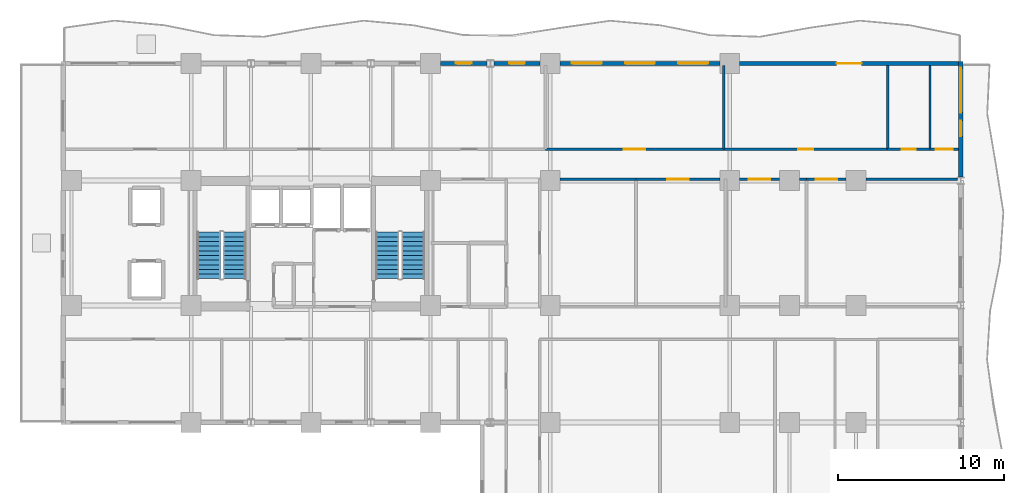
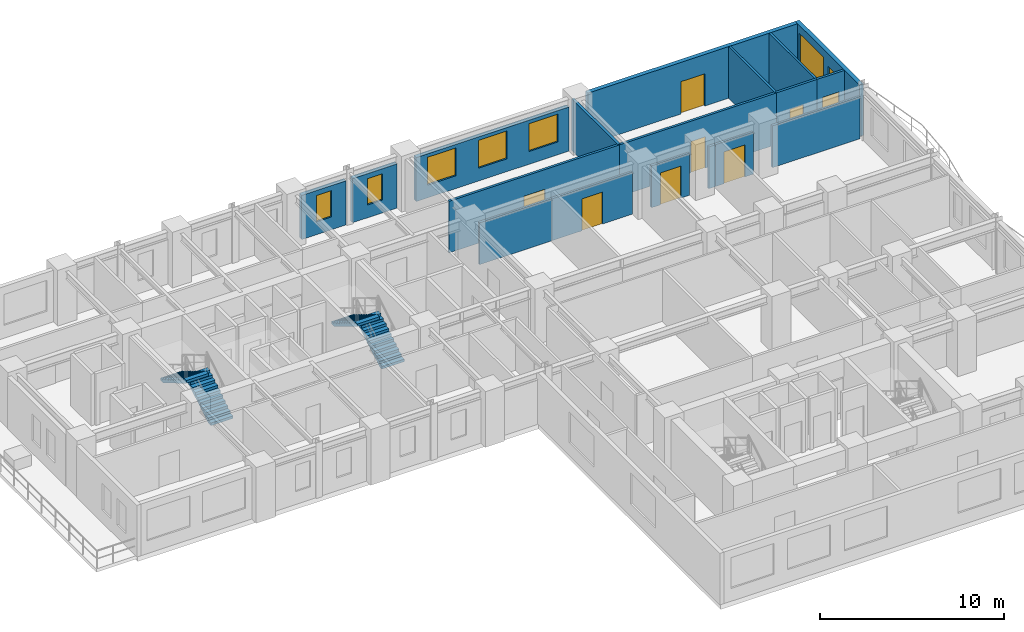
# One storey, part 7 of 11: 18 walls, 8 doors, 7 windows, 4 stair flights, 15 openings, 2 elements without a shape of their own.
"""IFC4 building model written with IfcOpenShell, lengths in metres."""

from ifc_helpers import new_model, si_unit, direction, frame, frame_2d, origin, place, context, subcontext, project, spatial, polyline, rectangle, outline, extrude, material, layer, layer_set, type_object, element, fill, aggregate, save


model = new_model("IFC4")

# Units and contexts
model_context = context("Model", 3, precision=1e-05, world=origin(), true_north=direction((0.0, 1.0)))
body_context = subcontext(model_context, "Body", "Model", "MODEL_VIEW")
ifc_project = project(units=[si_unit("LENGTHUNIT", "METRE"), si_unit("AREAUNIT", "SQUARE_METRE"), si_unit("VOLUMEUNIT", "CUBIC_METRE"), si_unit("PLANEANGLEUNIT", "RADIAN"), si_unit("MASSUNIT", "GRAM", prefix="KILO")], contexts=[model_context])

# Site, building, storey
site_placement = place(None, origin())
site = spatial("IfcSite", under=ifc_project, at=site_placement, CompositionType="ELEMENT")
building_placement = place(site_placement, origin())
building = spatial("IfcBuilding", under=site, at=building_placement, Name="Kaliganga Portal Commons", CompositionType="ELEMENT")
storey_placement = place(building_placement, frame((0.0, 0.0, 78.60009765625)))
storey = spatial("IfcBuildingStorey", under=building, at=storey_placement, Name="L19", CompositionType="ELEMENT", Elevation=78.60009765625)

# Wall, openings, windows
ifc_material_1 = material(Name="Insulated Aluminium-Clad Spandrel Assembly", Category="aluminium")
ifc_layer_1 = layer(ifc_material_1, 0.260009765625)
ifc_layer_set_1 = layer_set([ifc_layer_1], Name="Insulated Aluminium-Clad Spandrel Assembly")
wall_type_1 = type_object("IfcWallType", Name="WL-EXT-SPAND-260", PredefinedType="STANDARD", material=ifc_layer_set_1)
wall_1_placement = place(storey_placement, frame((60.699951171875, 43.330078125, 0.0), z_axis=(0.0, 0.0, 1.0), x_axis=(0.0, -1.0, 0.0)))
wall_1 = element("IfcWall", 1, at=wall_1_placement, inside=storey, type_object=wall_type_1, Name="Exterior Envelope Wall L19 P1-E01-S6", PredefinedType="STANDARD", context=body_context, shape_type="SweptSolid", body=[
    extrude(rectangle(XDim=6.964111328125, YDim=0.260009765625, at=frame_2d((3.48193359375, 0.0))), origin(), (0.0, 0.0, 1.0), 3.429931640625),
])
opening_1_placement = place(wall_1_placement, frame((0.39111328125, 0.0, 0.85009765625)))
opening_1 = element("IfcOpeningElement", 2, at=opening_1_placement, cuts=wall_1, Name="Opening W-07", PredefinedType="OPENING", context=body_context, shape_type="SweptSolid", body=[
    extrude(rectangle(XDim=2.699951171875, YDim=2.050048828125, at=frame_2d((1.35009765625, 1.02490234375))), frame((0.0, 0.14013671875, 0.0), z_axis=(0.0, -1.0, 0.0), x_axis=(1.0, 0.0, 0.0)), (0.0, 0.0, 1.0), 0.280029296875),
])
opening_2_placement = place(wall_1_placement, frame((3.564208984375, 0.0, 0.85009765625)))
opening_2 = element("IfcOpeningElement", 3, at=opening_2_placement, cuts=wall_1, Name="Opening W-04", PredefinedType="OPENING", context=body_context, shape_type="SweptSolid", body=[
    extrude(rectangle(XDim=0.949951171875, YDim=1.75, at=frame_2d((0.47509765625, 0.875))), frame((0.0, 0.14013671875, 0.0), z_axis=(0.0, -1.0, 0.0), x_axis=(1.0, 0.0, 0.0)), (0.0, 0.0, 1.0), 0.280029296875),
])
ifc_material_2 = material(Name="Thermally Broken Aluminium and Low-E Double Glazing", Category="aluminium")
window_type_1 = type_object("IfcWindowType", Name="WIN-LOUNGE-2700", PartitioningType="TRIPLE_PANEL_VERTICAL", PredefinedType="WINDOW", material=ifc_material_2)
window_1_placement = place(opening_1_placement, origin())
window_1 = element("IfcWindow", 4, at=window_1_placement, inside=storey, type_object=window_type_1, Name="Facade Window L19-P1E01S6-00", OverallHeight=2.050048828125, OverallWidth=2.699951171875, PartitioningType="SINGLE_PANEL", PredefinedType="WINDOW", context=body_context, shape_type="SweptSolid", body=[
    extrude(rectangle(XDim=2.699951171875, YDim=2.050048828125, at=frame_2d((1.35009765625, 1.02490234375))), frame((0.0, 0.030029296875, 0.0), z_axis=(0.0, -1.0, 0.0), x_axis=(1.0, 0.0, 0.0)), (0.0, 0.0, 1.0), 0.06005859375),
])
fill(opening_1, window_1)
window_type_2 = type_object("IfcWindowType", Name="WIN-NARROW-950", PartitioningType="SINGLE_PANEL", PredefinedType="WINDOW", material=ifc_material_2)
window_2_placement = place(opening_2_placement, origin())
window_2 = element("IfcWindow", 5, at=window_2_placement, inside=storey, type_object=window_type_2, Name="Facade Window L19-P1E01S6-N6", OverallHeight=1.75, OverallWidth=0.949951171875, PartitioningType="SINGLE_PANEL", PredefinedType="WINDOW", context=body_context, shape_type="SweptSolid", body=[
    extrude(rectangle(XDim=0.949951171875, YDim=1.75, at=frame_2d((0.47509765625, 0.875))), frame((0.0, 0.030029296875, 0.0), z_axis=(0.0, -1.0, 0.0), x_axis=(1.0, 0.0, 0.0)), (0.0, 0.0, 1.0), 0.06005859375),
])
fill(opening_2, window_2)

# Wall, opening, door
wall_2_placement = place(storey_placement, frame((47.40087890625, 43.199951171875, 0.0), z_axis=(0.0, 0.0, 1.0), x_axis=(1.0, 0.0, 0.0)))
wall_2 = element("IfcWall", 6, at=wall_2_placement, inside=storey, type_object=wall_type_1, Name="Exterior Envelope Wall L19 P1-E02-S1", PredefinedType="STANDARD", context=body_context, shape_type="SweptSolid", body=[
    extrude(rectangle(XDim=13.1640625, YDim=0.260009765625, at=frame_2d((6.58203125, 0.0))), origin(), (0.0, 0.0, 1.0), 3.429931640625),
])
opening_3_placement = place(wall_2_placement, frame((5.83203125, 0.0, 0.0)))
opening_3 = element("IfcOpeningElement", 7, at=opening_3_placement, cuts=wall_2, Name="Opening BD-01", PredefinedType="OPENING", context=body_context, shape_type="SweptSolid", body=[
    extrude(rectangle(XDim=1.5, YDim=2.14990234375, at=frame_2d((0.75, 1.074951171875))), frame((0.0, 0.14013671875, 0.0), z_axis=(0.0, -1.0, 0.0), x_axis=(1.0, 0.0, 0.0)), (0.0, 0.0, 1.0), 0.280029296875),
])
ifc_material_3 = material(Name="Anodized Aluminium and Laminated Safety Glass", Category="aluminium")
door_type_1 = type_object("IfcDoorType", Name="DR-BALC-1500", OperationType="SLIDING_TO_LEFT", PredefinedType="DOOR", material=ifc_material_3)
door_1_placement = place(opening_3_placement, origin())
door_1 = element("IfcDoor", 8, at=door_1_placement, inside=storey, type_object=door_type_1, Name="Balcony Sliding Door L19 balc_north", OperationType="SLIDING_TO_LEFT", OverallHeight=2.14990234375, OverallWidth=1.5, PredefinedType="DOOR", context=body_context, shape_type="SweptSolid", body=[
    extrude(rectangle(XDim=1.5, YDim=2.14990234375, at=frame_2d((0.75, 1.074951171875))), frame((0.0, 0.02490234375, 0.0), z_axis=(0.0, -1.0, 0.0), x_axis=(1.0, 0.0, 0.0)), (0.0, 0.0, 1.0), 0.050048828125),
])
fill(opening_3, door_1)

# Wall, openings, windows
wall_3_placement = place(storey_placement, frame((36.60107421875, 43.199951171875, 0.0), z_axis=(0.0, 0.0, 1.0), x_axis=(1.0, 0.0, 0.0)))
wall_3 = element("IfcWall", 9, at=wall_3_placement, inside=storey, type_object=wall_type_1, Name="Exterior Envelope Wall L19 P1-E02-S2", PredefinedType="STANDARD", context=body_context, shape_type="SweptSolid", body=[
    extrude(rectangle(XDim=9.597900390625, YDim=0.260009765625, at=frame_2d((4.798828125, 0.0))), origin(), (0.0, 0.0, 1.0), 2.929931640625),
])
opening_4_placement = place(wall_3_placement, frame((0.69970703125, 0.0, 0.85009765625)))
opening_4 = element("IfcOpeningElement", 10, at=opening_4_placement, cuts=wall_3, Name="Opening W-01", PredefinedType="OPENING", context=body_context, shape_type="SweptSolid", body=[
    extrude(rectangle(XDim=1.800048828125, YDim=1.85009765625, at=frame_2d((0.89990234375, 0.925048828125))), frame((0.0, 0.14013671875, 0.0), z_axis=(0.0, -1.0, 0.0), x_axis=(1.0, 0.0, 0.0)), (0.0, 0.0, 1.0), 0.280029296875),
])
opening_5_placement = place(wall_3_placement, frame((3.89892578125, 0.0, 0.85009765625)))
opening_5 = element("IfcOpeningElement", 11, at=opening_5_placement, cuts=wall_3, Name="Opening W-01", PredefinedType="OPENING", context=body_context, shape_type="SweptSolid", body=[
    extrude(rectangle(XDim=1.800048828125, YDim=1.85009765625, at=frame_2d((0.89990234375, 0.925048828125))), frame((0.0, 0.14013671875, 0.0), z_axis=(0.0, -1.0, 0.0), x_axis=(1.0, 0.0, 0.0)), (0.0, 0.0, 1.0), 0.280029296875),
])
opening_6_placement = place(wall_3_placement, frame((7.098388671875, 0.0, 0.85009765625)))
opening_6 = element("IfcOpeningElement", 12, at=opening_6_placement, cuts=wall_3, Name="Opening W-01", PredefinedType="OPENING", context=body_context, shape_type="SweptSolid", body=[
    extrude(rectangle(XDim=1.800048828125, YDim=1.85009765625, at=frame_2d((0.89990234375, 0.925048828125))), frame((0.0, 0.14013671875, 0.0), z_axis=(0.0, -1.0, 0.0), x_axis=(1.0, 0.0, 0.0)), (0.0, 0.0, 1.0), 0.280029296875),
])
window_type_3 = type_object("IfcWindowType", Name="WIN-STD-1800", PartitioningType="DOUBLE_PANEL_VERTICAL", PredefinedType="WINDOW", material=ifc_material_2)
window_3_placement = place(opening_4_placement, origin())
window_3 = element("IfcWindow", 13, at=window_3_placement, inside=storey, type_object=window_type_3, Name="Facade Window L19-P1E02S2-00", OverallHeight=1.85009765625, OverallWidth=1.800048828125, PartitioningType="SINGLE_PANEL", PredefinedType="WINDOW", context=body_context, shape_type="SweptSolid", body=[
    extrude(rectangle(XDim=1.800048828125, YDim=1.85009765625, at=frame_2d((0.89990234375, 0.925048828125))), frame((0.0, 0.030029296875, 0.0), z_axis=(0.0, -1.0, 0.0), x_axis=(1.0, 0.0, 0.0)), (0.0, 0.0, 1.0), 0.06005859375),
])
fill(opening_4, window_3)
window_4_placement = place(opening_5_placement, origin())
window_4 = element("IfcWindow", 14, at=window_4_placement, inside=storey, type_object=window_type_3, Name="Facade Window L19-P1E02S2-01", OverallHeight=1.85009765625, OverallWidth=1.800048828125, PartitioningType="SINGLE_PANEL", PredefinedType="WINDOW", context=body_context, shape_type="SweptSolid", body=[
    extrude(rectangle(XDim=1.800048828125, YDim=1.85009765625, at=frame_2d((0.89990234375, 0.925048828125))), frame((0.0, 0.030029296875, 0.0), z_axis=(0.0, -1.0, 0.0), x_axis=(1.0, 0.0, 0.0)), (0.0, 0.0, 1.0), 0.06005859375),
])
fill(opening_5, window_4)
window_5_placement = place(opening_6_placement, origin())
window_5 = element("IfcWindow", 15, at=window_5_placement, inside=storey, type_object=window_type_3, Name="Facade Window L19-P1E02S2-02", OverallHeight=1.85009765625, OverallWidth=1.800048828125, PartitioningType="SINGLE_PANEL", PredefinedType="WINDOW", context=body_context, shape_type="SweptSolid", body=[
    extrude(rectangle(XDim=1.800048828125, YDim=1.85009765625, at=frame_2d((0.89990234375, 0.925048828125))), frame((0.0, 0.030029296875, 0.0), z_axis=(0.0, -1.0, 0.0), x_axis=(1.0, 0.0, 0.0)), (0.0, 0.0, 1.0), 0.06005859375),
])
fill(opening_6, window_5)

# Wall, opening, window
wall_4_placement = place(storey_placement, frame((32.60546875, 43.199951171875, 0.0), z_axis=(0.0, 0.0, 1.0), x_axis=(1.0, 0.0, 0.0)))
wall_4 = element("IfcWall", 16, at=wall_4_placement, inside=storey, type_object=wall_type_1, Name="Exterior Envelope Wall L19 P1-E02-S3", PredefinedType="STANDARD", context=body_context, shape_type="SweptSolid", body=[
    extrude(rectangle(XDim=2.79345703125, YDim=0.260009765625, at=frame_2d((1.396728515625, 0.0))), origin(), (0.0, 0.0, 1.0), 2.929931640625),
])
opening_7_placement = place(wall_4_placement, frame((0.921875, 0.0, 0.85009765625)))
opening_7 = element("IfcOpeningElement", 17, at=opening_7_placement, cuts=wall_4, Name="Opening W-04", PredefinedType="OPENING", context=body_context, shape_type="SweptSolid", body=[
    extrude(rectangle(XDim=0.949951171875, YDim=1.75, at=frame_2d((0.47509765625, 0.875))), frame((0.0, 0.14013671875, 0.0), z_axis=(0.0, -1.0, 0.0), x_axis=(1.0, 0.0, 0.0)), (0.0, 0.0, 1.0), 0.280029296875),
])
window_6_placement = place(opening_7_placement, origin())
window_6 = element("IfcWindow", 18, at=window_6_placement, inside=storey, type_object=window_type_2, Name="Facade Window L19-P1E02S3-00", OverallHeight=1.75, OverallWidth=0.949951171875, PartitioningType="SINGLE_PANEL", PredefinedType="WINDOW", context=body_context, shape_type="SweptSolid", body=[
    extrude(rectangle(XDim=0.949951171875, YDim=1.75, at=frame_2d((0.47509765625, 0.875))), frame((0.0, 0.030029296875, 0.0), z_axis=(0.0, -1.0, 0.0), x_axis=(1.0, 0.0, 0.0)), (0.0, 0.0, 1.0), 0.06005859375),
])
fill(opening_7, window_6)

wall_5_placement = place(storey_placement, frame((29.40087890625, 43.199951171875, 0.0), z_axis=(0.0, 0.0, 1.0), x_axis=(1.0, 0.0, 0.0)))
wall_5 = element("IfcWall", 19, at=wall_5_placement, inside=storey, type_object=wall_type_1, Name="Exterior Envelope Wall L19 P1-E02-S4", PredefinedType="STANDARD", context=body_context, shape_type="SweptSolid", body=[
    extrude(rectangle(XDim=2.793701171875, YDim=0.260009765625, at=frame_2d((1.39697265625, 0.0))), origin(), (0.0, 0.0, 1.0), 2.929931640625),
])
opening_8_placement = place(wall_5_placement, frame((0.921630859375, 0.0, 0.85009765625)))
opening_8 = element("IfcOpeningElement", 20, at=opening_8_placement, cuts=wall_5, Name="Opening W-04", PredefinedType="OPENING", context=body_context, shape_type="SweptSolid", body=[
    extrude(rectangle(XDim=0.949951171875, YDim=1.75, at=frame_2d((0.47509765625, 0.875))), frame((0.0, 0.14013671875, 0.0), z_axis=(0.0, -1.0, 0.0), x_axis=(1.0, 0.0, 0.0)), (0.0, 0.0, 1.0), 0.280029296875),
])
window_7_placement = place(opening_8_placement, origin())
window_7 = element("IfcWindow", 21, at=window_7_placement, inside=storey, type_object=window_type_2, Name="Facade Window L19-P1E02S4-00", OverallHeight=1.75, OverallWidth=0.949951171875, PartitioningType="SINGLE_PANEL", PredefinedType="WINDOW", context=body_context, shape_type="SweptSolid", body=[
    extrude(rectangle(XDim=0.949951171875, YDim=1.75, at=frame_2d((0.47509765625, 0.875))), frame((0.0, 0.030029296875, 0.0), z_axis=(0.0, -1.0, 0.0), x_axis=(1.0, 0.0, 0.0)), (0.0, 0.0, 1.0), 0.06005859375),
])
fill(opening_8, window_7)

# Wall, opening, door
ifc_material_4 = material(Name="Fire-Rated Gypsum Board on Steel Stud", Category="steel")
ifc_layer_2 = layer(ifc_material_4, 0.14990234375)
ifc_layer_set_2 = layer_set([ifc_layer_2], Name="Fire-Rated Gypsum Board on Steel Stud")
wall_type_2 = type_object("IfcWallType", Name="WL-PART-CORR-150", PredefinedType="PARTITIONING", material=ifc_layer_set_2)
wall_6_placement = place(storey_placement, frame((35.719970703125, 38.0400390625, 0.0), z_axis=(0.0, 0.0, 1.0), x_axis=(1.0, 0.0, 0.0)))
wall_6 = element("IfcWall", 22, at=wall_6_placement, inside=storey, type_object=wall_type_2, Name="Interior Partition L19-003", PredefinedType="PARTITIONING", context=body_context, shape_type="SweptSolid", body=[
    extrude(rectangle(XDim=10.719970703125, YDim=0.14990234375, at=frame_2d((5.35986328125, 0.0))), origin(), (0.0, 0.0, 1.0), 3.429931640625),
])
opening_9_placement = place(wall_6_placement, frame((4.7099609375, 0.0, 0.0)))
opening_9 = element("IfcOpeningElement", 23, at=opening_9_placement, cuts=wall_6, Name="Opening RD-03", PredefinedType="OPENING", context=body_context, shape_type="SweptSolid", body=[
    extrude(rectangle(XDim=1.300048828125, YDim=2.1201171875, at=frame_2d((0.64990234375, 1.06005859375))), frame((0.0, 0.0849609375, 0.0), z_axis=(0.0, -1.0, 0.0), x_axis=(1.0, 0.0, 0.0)), (0.0, 0.0, 1.0), 0.169921875),
])
ifc_material_5 = material(Name="Glazed Timber Seminar Vision Door", Category="wood")
door_type_2 = type_object("IfcDoorType", Name="DR-STUDY-1300", OperationType="DOUBLE_DOOR_SINGLE_SWING", PredefinedType="DOOR", material=ifc_material_5)
door_2_placement = place(opening_9_placement, origin())
door_2 = element("IfcDoor", 24, at=door_2_placement, inside=storey, type_object=door_type_2, Name="Interior Door L19-AN04", OperationType="DOUBLE_DOOR_SINGLE_SWING", OverallHeight=2.1201171875, OverallWidth=1.300048828125, PredefinedType="DOOR", context=body_context, shape_type="SweptSolid", body=[
    extrude(rectangle(XDim=1.300048828125, YDim=2.1201171875, at=frame_2d((0.64990234375, 1.06005859375))), frame((0.0, 0.02490234375, 0.0), z_axis=(0.0, -1.0, 0.0), x_axis=(1.0, 0.0, 0.0)), (0.0, 0.0, 1.0), 0.050048828125),
])
fill(opening_9, door_2)

wall_7_placement = place(storey_placement, frame((46.43994140625, 38.0400390625, 0.0), z_axis=(0.0, 0.0, 1.0), x_axis=(1.0, 0.0, 0.0)))
wall_7 = element("IfcWall", 25, at=wall_7_placement, inside=storey, type_object=wall_type_2, Name="Interior Partition L19-008", PredefinedType="PARTITIONING", context=body_context, shape_type="SweptSolid", body=[
    extrude(rectangle(XDim=9.860107421875, YDim=0.14990234375, at=frame_2d((4.93017578125, 0.0))), origin(), (0.0, 0.0, 1.0), 3.429931640625),
])
opening_10_placement = place(wall_7_placement, frame((4.47998046875, 0.0, 0.0)))
opening_10 = element("IfcOpeningElement", 26, at=opening_10_placement, cuts=wall_7, Name="Opening RD-01", PredefinedType="OPENING", context=body_context, shape_type="SweptSolid", body=[
    extrude(rectangle(XDim=0.89990234375, YDim=2.080078125, at=frame_2d((0.449951171875, 1.0400390625))), frame((0.0, 0.0849609375, 0.0), z_axis=(0.0, -1.0, 0.0), x_axis=(1.0, 0.0, 0.0)), (0.0, 0.0, 1.0), 0.169921875),
])
ifc_material_6 = material(Name="Engineered Timber Flush Door", Category="wood")
door_type_3 = type_object("IfcDoorType", Name="DR-ROOM-900", OperationType="NOTDEFINED", PredefinedType="DOOR", material=ifc_material_6)
door_3_placement = place(opening_10_placement, origin())
door_3 = element("IfcDoor", 27, at=door_3_placement, inside=storey, type_object=door_type_3, Name="Interior Door L19-AN05", OperationType="SINGLE_SWING_LEFT", OverallHeight=2.080078125, OverallWidth=0.89990234375, PredefinedType="DOOR", context=body_context, shape_type="SweptSolid", body=[
    extrude(rectangle(XDim=0.89990234375, YDim=2.080078125, at=frame_2d((0.449951171875, 1.0400390625))), frame((0.0, 0.02490234375, 0.0), z_axis=(0.0, -1.0, 0.0), x_axis=(1.0, 0.0, 0.0)), (0.0, 0.0, 1.0), 0.050048828125),
])
fill(opening_10, door_3)

wall_8_placement = place(storey_placement, frame((51.419921875, 36.239990234375, 0.0), z_axis=(0.0, 0.0, 1.0), x_axis=(1.0, 0.0, 0.0)))
wall_8 = element("IfcWall", 28, at=wall_8_placement, inside=storey, type_object=wall_type_2, Name="Interior Partition L19-012", PredefinedType="PARTITIONING", context=body_context, shape_type="SweptSolid", body=[
    extrude(rectangle(XDim=2.380126953125, YDim=0.14990234375, at=frame_2d((1.18994140625, 0.0))), origin(), (0.0, 0.0, 1.0), 2.77978515625),
])
opening_11_placement = place(wall_8_placement, frame((0.5400390625, 0.0, 0.0)))
opening_11 = element("IfcOpeningElement", 29, at=opening_11_placement, cuts=wall_8, Name="Opening RD-03", PredefinedType="OPENING", context=body_context, shape_type="SweptSolid", body=[
    extrude(rectangle(XDim=1.300048828125, YDim=2.1201171875, at=frame_2d((0.64990234375, 1.06005859375))), frame((0.0, 0.0849609375, 0.0), z_axis=(0.0, -1.0, 0.0), x_axis=(1.0, 0.0, 0.0)), (0.0, 0.0, 1.0), 0.169921875),
])
door_4_placement = place(opening_11_placement, origin())
door_4 = element("IfcDoor", 30, at=door_4_placement, inside=storey, type_object=door_type_2, Name="Interior Door L19-BK04", OperationType="DOUBLE_DOOR_SINGLE_SWING", OverallHeight=2.1201171875, OverallWidth=1.300048828125, PredefinedType="DOOR", context=body_context, shape_type="SweptSolid", body=[
    extrude(rectangle(XDim=1.300048828125, YDim=2.1201171875, at=frame_2d((0.64990234375, 1.06005859375))), frame((0.0, 0.02490234375, 0.0), z_axis=(0.0, -1.0, 0.0), x_axis=(1.0, 0.0, 0.0)), (0.0, 0.0, 1.0), 0.050048828125),
])
fill(opening_11, door_4)

# Walls
wall_9_placement = place(storey_placement, frame((55.0, 36.239990234375, 0.0), z_axis=(0.0, 0.0, 1.0), x_axis=(1.0, 0.0, 0.0)))
element("IfcWall", 31, at=wall_9_placement, inside=storey, type_object=wall_type_2, Name="Interior Partition L19-013", PredefinedType="PARTITIONING", context=body_context, shape_type="SweptSolid", body=[
    extrude(rectangle(XDim=5.49560546875, YDim=0.14990234375, at=frame_2d((2.747802734375, 0.0))), origin(), (0.0, 0.0, 1.0), 2.77978515625),
])
wall_10_placement = place(storey_placement, frame((36.60009765625, 36.239990234375, 0.0), z_axis=(0.0, 0.0, 1.0), x_axis=(1.0, 0.0, 0.0)))
element("IfcWall", 32, at=wall_10_placement, inside=storey, type_object=wall_type_2, Name="Interior Partition L19-021", PredefinedType="PARTITIONING", context=body_context, shape_type="SweptSolid", body=[
    extrude(rectangle(XDim=4.559814453125, YDim=0.14990234375, at=frame_2d((2.27978515625, 0.0))), origin(), (0.0, 0.0, 1.0), 2.77978515625),
])

# Wall, opening, door
wall_11_placement = place(storey_placement, frame((41.159912109375, 36.239990234375, 0.0), z_axis=(0.0, 0.0, 1.0), x_axis=(1.0, 0.0, 0.0)))
wall_11 = element("IfcWall", 33, at=wall_11_placement, inside=storey, type_object=wall_type_2, Name="Interior Partition L19-024", PredefinedType="PARTITIONING", context=body_context, shape_type="SweptSolid", body=[
    extrude(rectangle(XDim=5.0400390625, YDim=0.14990234375, at=frame_2d((2.52001953125, 0.0))), origin(), (0.0, 0.0, 1.0), 2.77978515625),
])
opening_12_placement = place(wall_11_placement, frame((1.8701171875, 0.0, 0.0)))
opening_12 = element("IfcOpeningElement", 34, at=opening_12_placement, cuts=wall_11, Name="Opening RD-03", PredefinedType="OPENING", context=body_context, shape_type="SweptSolid", body=[
    extrude(rectangle(XDim=1.300048828125, YDim=2.1201171875, at=frame_2d((0.64990234375, 1.06005859375))), frame((0.0, 0.0849609375, 0.0), z_axis=(0.0, -1.0, 0.0), x_axis=(1.0, 0.0, 0.0)), (0.0, 0.0, 1.0), 0.169921875),
])
door_5_placement = place(opening_12_placement, origin())
door_5 = element("IfcDoor", 35, at=door_5_placement, inside=storey, type_object=door_type_2, Name="Interior Door L19-BK02", OperationType="DOUBLE_DOOR_SINGLE_SWING", OverallHeight=2.1201171875, OverallWidth=1.300048828125, PredefinedType="DOOR", context=body_context, shape_type="SweptSolid", body=[
    extrude(rectangle(XDim=1.300048828125, YDim=2.1201171875, at=frame_2d((0.64990234375, 1.06005859375))), frame((0.0, 0.02490234375, 0.0), z_axis=(0.0, -1.0, 0.0), x_axis=(1.0, 0.0, 0.0)), (0.0, 0.0, 1.0), 0.050048828125),
])
fill(opening_12, door_5)

wall_12_placement = place(storey_placement, frame((47.39990234375, 36.239990234375, 0.0), z_axis=(0.0, 0.0, 1.0), x_axis=(1.0, 0.0, 0.0)))
wall_12 = element("IfcWall", 36, at=wall_12_placement, inside=storey, type_object=wall_type_2, Name="Interior Partition L19-027", PredefinedType="PARTITIONING", context=body_context, shape_type="SweptSolid", body=[
    extrude(rectangle(XDim=2.400146484375, YDim=0.14990234375, at=frame_2d((1.2001953125, 0.0))), origin(), (0.0, 0.0, 1.0), 2.77978515625),
])
opening_13_placement = place(wall_12_placement, frame((0.550048828125, 0.0, 0.0)))
opening_13 = element("IfcOpeningElement", 37, at=opening_13_placement, cuts=wall_12, Name="Opening RD-03", PredefinedType="OPENING", context=body_context, shape_type="SweptSolid", body=[
    extrude(rectangle(XDim=1.300048828125, YDim=2.1201171875, at=frame_2d((0.64990234375, 1.06005859375))), frame((0.0, 0.0849609375, 0.0), z_axis=(0.0, -1.0, 0.0), x_axis=(1.0, 0.0, 0.0)), (0.0, 0.0, 1.0), 0.169921875),
])
door_6_placement = place(opening_13_placement, origin())
door_6 = element("IfcDoor", 38, at=door_6_placement, inside=storey, type_object=door_type_2, Name="Interior Door L19-BK03", OperationType="DOUBLE_DOOR_SINGLE_SWING", OverallHeight=2.1201171875, OverallWidth=1.300048828125, PredefinedType="DOOR", context=body_context, shape_type="SweptSolid", body=[
    extrude(rectangle(XDim=1.300048828125, YDim=2.1201171875, at=frame_2d((0.64990234375, 1.06005859375))), frame((0.0, 0.02490234375, 0.0), z_axis=(0.0, -1.0, 0.0), x_axis=(1.0, 0.0, 0.0)), (0.0, 0.0, 1.0), 0.050048828125),
])
fill(opening_13, door_6)

# Wall
wall_13_placement = place(storey_placement, frame((51.0, 36.239990234375, 0.0), z_axis=(0.0, 0.0, 1.0), x_axis=(1.0, 0.0, 0.0)))
element("IfcWall", 39, at=wall_13_placement, inside=storey, type_object=wall_type_2, Name="Interior Partition L19-028", PredefinedType="PARTITIONING", context=body_context, shape_type="SweptSolid", body=[
    extrude(rectangle(XDim=0.419921875, YDim=0.14990234375, at=frame_2d((0.2099609375, 0.0))), origin(), (0.0, 0.0, 1.0), 2.77978515625),
])

# Wall, opening, door
wall_14_placement = place(storey_placement, frame((56.300048828125, 38.0400390625, 0.0), z_axis=(0.0, 0.0, 1.0), x_axis=(1.0, 0.0, 0.0)))
wall_14 = element("IfcWall", 40, at=wall_14_placement, inside=storey, type_object=wall_type_2, Name="Interior Partition L19-037", PredefinedType="PARTITIONING", context=body_context, shape_type="SweptSolid", body=[
    extrude(rectangle(XDim=2.5400390625, YDim=0.14990234375, at=frame_2d((1.27001953125, 0.0))), origin(), (0.0, 0.0, 1.0), 3.429931640625),
])
opening_14_placement = place(wall_14_placement, frame((0.844970703125, 0.0, 0.0)))
opening_14 = element("IfcOpeningElement", 41, at=opening_14_placement, cuts=wall_14, Name="Opening WD-01", PredefinedType="OPENING", context=body_context, shape_type="SweptSolid", body=[
    extrude(rectangle(XDim=0.85009765625, YDim=2.0400390625, at=frame_2d((0.425048828125, 1.02001953125))), frame((0.0, 0.0849609375, 0.0), z_axis=(0.0, -1.0, 0.0), x_axis=(1.0, 0.0, 0.0)), (0.0, 0.0, 1.0), 0.169921875),
])
ifc_material_7 = material(Name="Moisture-Resistant Laminate Timber Door", Category="wood")
door_type_4 = type_object("IfcDoorType", Name="DR-WET-850", OperationType="NOTDEFINED", PredefinedType="DOOR", material=ifc_material_7)
door_7_placement = place(opening_14_placement, origin())
door_7 = element("IfcDoor", 42, at=door_7_placement, inside=storey, type_object=door_type_4, Name="Interior Door L19-AN06", OperationType="SINGLE_SWING_RIGHT", OverallHeight=2.0400390625, OverallWidth=0.85009765625, PredefinedType="DOOR", context=body_context, shape_type="SweptSolid", body=[
    extrude(rectangle(XDim=0.85009765625, YDim=2.0400390625, at=frame_2d((0.425048828125, 1.02001953125))), frame((0.0, 0.02490234375, 0.0), z_axis=(0.0, -1.0, 0.0), x_axis=(1.0, 0.0, 0.0)), (0.0, 0.0, 1.0), 0.050048828125),
])
fill(opening_14, door_7)

wall_15_placement = place(storey_placement, frame((58.840087890625, 38.0400390625, 0.0), z_axis=(0.0, 0.0, 1.0), x_axis=(1.0, 0.0, 0.0)))
wall_15 = element("IfcWall", 43, at=wall_15_placement, inside=storey, type_object=wall_type_2, Name="Interior Partition L19-040", PredefinedType="PARTITIONING", context=body_context, shape_type="SweptSolid", body=[
    extrude(rectangle(XDim=1.72802734375, YDim=0.14990234375, at=frame_2d((0.864013671875, 0.0))), origin(), (0.0, 0.0, 1.0), 3.429931640625),
])
opening_15_placement = place(wall_15_placement, frame((0.339111328125, 0.0, 0.0)))
opening_15 = element("IfcOpeningElement", 44, at=opening_15_placement, cuts=wall_15, Name="Opening UD-02", PredefinedType="OPENING", context=body_context, shape_type="SweptSolid", body=[
    extrude(rectangle(XDim=1.050048828125, YDim=2.1201171875, at=frame_2d((0.52490234375, 1.06005859375))), frame((0.0, 0.0849609375, 0.0), z_axis=(0.0, -1.0, 0.0), x_axis=(1.0, 0.0, 0.0)), (0.0, 0.0, 1.0), 0.169921875),
])
ifc_material_8 = material(Name="Accessible Wide-Leaf Acoustic Fire Door", Category="wood")
door_type_5 = type_object("IfcDoorType", Name="DR-ACC-1050", OperationType="NOTDEFINED", PredefinedType="DOOR", material=ifc_material_8)
door_8_placement = place(opening_15_placement, origin())
door_8 = element("IfcDoor", 45, at=door_8_placement, inside=storey, type_object=door_type_5, Name="Interior Door L19-AN07", OperationType="SINGLE_SWING_RIGHT", OverallHeight=2.1201171875, OverallWidth=1.050048828125, PredefinedType="DOOR", context=body_context, shape_type="SweptSolid", body=[
    extrude(rectangle(XDim=1.050048828125, YDim=2.1201171875, at=frame_2d((0.52490234375, 1.06005859375))), frame((0.0, 0.02490234375, 0.0), z_axis=(0.0, -1.0, 0.0), x_axis=(1.0, 0.0, 0.0)), (0.0, 0.0, 1.0), 0.050048828125),
])
fill(opening_15, door_8)

# Walls
ifc_material_9 = material(Name="Twin-Stud Acoustic Gypsum Partition", Category="gypsum")
ifc_layer_3 = layer(ifc_material_9, 0.1650390625)
ifc_layer_set_3 = layer_set([ifc_layer_3], Name="Twin-Stud Acoustic Gypsum Partition")
wall_type_3 = type_object("IfcWallType", Name="WL-PART-UNIT-165", PredefinedType="PARTITIONING", material=ifc_layer_set_3)
wall_16_placement = place(storey_placement, frame((46.43994140625, 38.0400390625, 0.0), z_axis=(0.0, 0.0, 1.0), x_axis=(0.0, 1.0, 0.0)))
element("IfcWall", 46, at=wall_16_placement, inside=storey, type_object=wall_type_3, Name="Interior Partition L19-062", PredefinedType="PARTITIONING", context=body_context, shape_type="SweptSolid", body=[
    extrude(rectangle(XDim=5.028076171875, YDim=0.1650390625, at=frame_2d((2.51416015625, 0.0))), origin(), (0.0, 0.0, 1.0), 3.429931640625),
])
ifc_material_10 = material(Name="Cement-Board Wet-Room Partition", Category="gypsum")
ifc_layer_4 = layer(ifc_material_10, 0.135009765625)
ifc_layer_set_4 = layer_set([ifc_layer_4], Name="Cement-Board Wet-Room Partition")
wall_type_4 = type_object("IfcWallType", Name="WL-PART-WET-135", PredefinedType="PARTITIONING", material=ifc_layer_set_4)
for number, where, z_axis, x_axis, name in (
    (47, (56.300048828125, 38.0400390625, 0.0), (0.0, 0.0, 1.0), (0.0, 1.0, 0.0), "Interior Partition L19-063"),
    (48, (58.840087890625, 38.0400390625, 0.0), (0.0, 0.0, 1.0), (0.0, 1.0, 0.0), "Interior Partition L19-064"),
):
    element("IfcWall", number, at=place(storey_placement, frame(where, z_axis=z_axis, x_axis=x_axis)), inside=storey, type_object=wall_type_4, Name=name, PredefinedType="PARTITIONING", context=body_context, shape_type="SweptSolid", body=[
        extrude(rectangle(XDim=5.028076171875, YDim=0.135009765625, at=frame_2d((2.51416015625, 0.0))), origin(), (0.0, 0.0, 1.0), 3.429931640625),
    ])

# Stair, stair flights
ifc_material_11 = material(Name="Concrete C40/50", Category="concrete")
stair_type = type_object("IfcStairType", Name="ST-CORE-DOGLEG", PredefinedType="HALF_TURN_STAIR", material=ifc_material_11)
stair_1_placement = place(storey_placement, origin())
stair_1 = element("IfcStair", 49, at=stair_1_placement, inside=storey, type_object=stair_type, Name="L19 Protected Exit Stair ST-A1", PredefinedType="HALF_TURN_STAIR")
stair_flight_type = type_object("IfcStairFlightType", Name="STF-RC-1400", PredefinedType="STRAIGHT", material=ifc_material_11)
stair_flight_1_placement = place(storey_placement, frame((17.0, 30.25, 0.0), z_axis=(0.0, 0.0, 1.0), x_axis=(0.0, 1.0, 0.0)))
stair_flight_1 = element("IfcStairFlight", 50, at=stair_flight_1_placement, type_object=stair_flight_type, Name="ST-A1 flight 1", NumberOfRisers=11, NumberOfTreads=10, PredefinedType="STRAIGHT", RiserHeight=0.168181818, TreadLength=0.28, context=body_context, shape_type="SweptSolid", body=[
    extrude(outline(polyline([(0.0, 0.0), (0.0, 0.168212890625), (0.280029296875, 0.168212890625), (0.280029296875, 0.33642578125), (0.56005859375, 0.33642578125), (0.56005859375, 0.504638671875), (0.840087890625, 0.504638671875), (0.840087890625, 0.672607421875), (1.1201171875, 0.672607421875), (1.1201171875, 0.8408203125), (1.39990234375, 0.8408203125), (1.39990234375, 1.009033203125), (1.679931640625, 1.009033203125), (1.679931640625, 1.17724609375), (1.9599609375, 1.17724609375), (1.9599609375, 1.345458984375), (2.239990234375, 1.345458984375), (2.239990234375, 1.513671875), (2.52001953125, 1.513671875), (2.52001953125, 1.681884765625), (2.800048828125, 1.681884765625), (2.800048828125, 1.85009765625), (2.800048828125, 1.5068359375), (0.291015625, 0.0), (0.0, 0.0)])), frame((0.0, 0.699951171875, 0.0), z_axis=(0.0, -1.0, 0.0), x_axis=(1.0, 0.0, 0.0)), (0.0, 0.0, 1.0), 1.39990234375),
])
stair_flight_2_placement = place(storey_placement, frame((15.449951171875, 33.050048828125, 1.849853515625), z_axis=(0.0, 0.0, 1.0), x_axis=(0.0, -1.0, 0.0)))
stair_flight_2 = element("IfcStairFlight", 51, at=stair_flight_2_placement, type_object=stair_flight_type, Name="ST-A1 flight 2", NumberOfRisers=11, NumberOfTreads=10, PredefinedType="STRAIGHT", RiserHeight=0.168181818, TreadLength=0.28, context=body_context, shape_type="SweptSolid", body=[
    extrude(outline(polyline([(0.0, 0.0), (0.0, 0.168212890625), (0.280029296875, 0.168212890625), (0.280029296875, 0.33642578125), (0.56005859375, 0.33642578125), (0.56005859375, 0.504638671875), (0.840087890625, 0.504638671875), (0.840087890625, 0.672607421875), (1.1201171875, 0.672607421875), (1.1201171875, 0.8408203125), (1.39990234375, 0.8408203125), (1.39990234375, 1.009033203125), (1.679931640625, 1.009033203125), (1.679931640625, 1.17724609375), (1.9599609375, 1.17724609375), (1.9599609375, 1.345458984375), (2.239990234375, 1.345458984375), (2.239990234375, 1.513671875), (2.52001953125, 1.513671875), (2.52001953125, 1.681884765625), (2.800048828125, 1.681884765625), (2.800048828125, 1.85009765625), (2.800048828125, 1.5068359375), (0.291015625, 0.0), (0.0, 0.0)])), frame((0.0, 0.699951171875, 0.0), z_axis=(0.0, -1.0, 0.0), x_axis=(1.0, 0.0, 0.0)), (0.0, 0.0, 1.0), 1.39990234375),
])
aggregate(stair_1, [stair_flight_1, stair_flight_2])

stair_2_placement = place(storey_placement, origin())
stair_2 = element("IfcStair", 52, at=stair_2_placement, inside=storey, type_object=stair_type, Name="L19 Protected Exit Stair ST-A2", PredefinedType="HALF_TURN_STAIR")
stair_flight_3_placement = place(storey_placement, frame((27.75, 30.25, 0.0), z_axis=(0.0, 0.0, 1.0), x_axis=(0.0, 1.0, 0.0)))
stair_flight_3 = element("IfcStairFlight", 53, at=stair_flight_3_placement, type_object=stair_flight_type, Name="ST-A2 flight 1", NumberOfRisers=11, NumberOfTreads=10, PredefinedType="STRAIGHT", RiserHeight=0.168181818, TreadLength=0.28, context=body_context, shape_type="SweptSolid", body=[
    extrude(outline(polyline([(0.0, 0.0), (0.0, 0.168212890625), (0.280029296875, 0.168212890625), (0.280029296875, 0.33642578125), (0.56005859375, 0.33642578125), (0.56005859375, 0.504638671875), (0.840087890625, 0.504638671875), (0.840087890625, 0.672607421875), (1.1201171875, 0.672607421875), (1.1201171875, 0.8408203125), (1.39990234375, 0.8408203125), (1.39990234375, 1.009033203125), (1.679931640625, 1.009033203125), (1.679931640625, 1.17724609375), (1.9599609375, 1.17724609375), (1.9599609375, 1.345458984375), (2.239990234375, 1.345458984375), (2.239990234375, 1.513671875), (2.52001953125, 1.513671875), (2.52001953125, 1.681884765625), (2.800048828125, 1.681884765625), (2.800048828125, 1.85009765625), (2.800048828125, 1.5068359375), (0.291015625, 0.0), (0.0, 0.0)])), frame((0.0, 0.699951171875, 0.0), z_axis=(0.0, -1.0, 0.0), x_axis=(1.0, 0.0, 0.0)), (0.0, 0.0, 1.0), 1.39990234375),
])
stair_flight_4_placement = place(storey_placement, frame((26.199951171875, 33.050048828125, 1.849853515625), z_axis=(0.0, 0.0, 1.0), x_axis=(0.0, -1.0, 0.0)))
stair_flight_4 = element("IfcStairFlight", 54, at=stair_flight_4_placement, type_object=stair_flight_type, Name="ST-A2 flight 2", NumberOfRisers=11, NumberOfTreads=10, PredefinedType="STRAIGHT", RiserHeight=0.168181818, TreadLength=0.28, context=body_context, shape_type="SweptSolid", body=[
    extrude(outline(polyline([(0.0, 0.0), (0.0, 0.168212890625), (0.280029296875, 0.168212890625), (0.280029296875, 0.33642578125), (0.56005859375, 0.33642578125), (0.56005859375, 0.504638671875), (0.840087890625, 0.504638671875), (0.840087890625, 0.672607421875), (1.1201171875, 0.672607421875), (1.1201171875, 0.8408203125), (1.39990234375, 0.8408203125), (1.39990234375, 1.009033203125), (1.679931640625, 1.009033203125), (1.679931640625, 1.17724609375), (1.9599609375, 1.17724609375), (1.9599609375, 1.345458984375), (2.239990234375, 1.345458984375), (2.239990234375, 1.513671875), (2.52001953125, 1.513671875), (2.52001953125, 1.681884765625), (2.800048828125, 1.681884765625), (2.800048828125, 1.85009765625), (2.800048828125, 1.5068359375), (0.291015625, 0.0), (0.0, 0.0)])), frame((0.0, 0.699951171875, 0.0), z_axis=(0.0, -1.0, 0.0), x_axis=(1.0, 0.0, 0.0)), (0.0, 0.0, 1.0), 1.39990234375),
])
aggregate(stair_2, [stair_flight_3, stair_flight_4])

save(model, "model.ifc")
